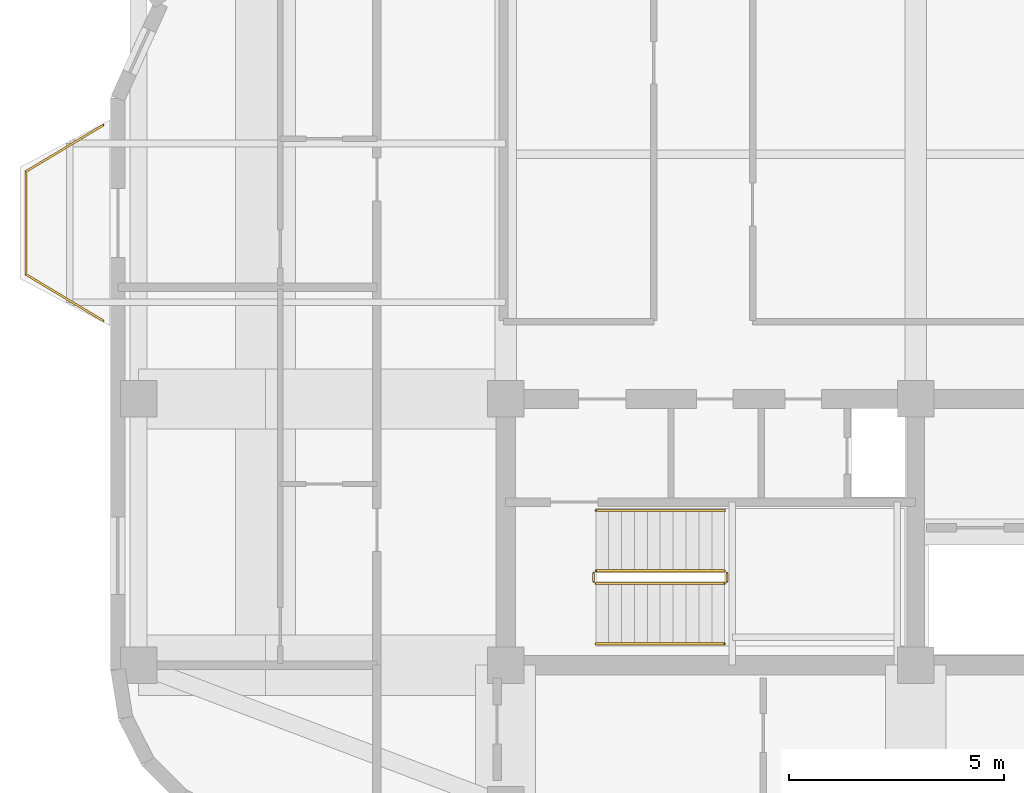
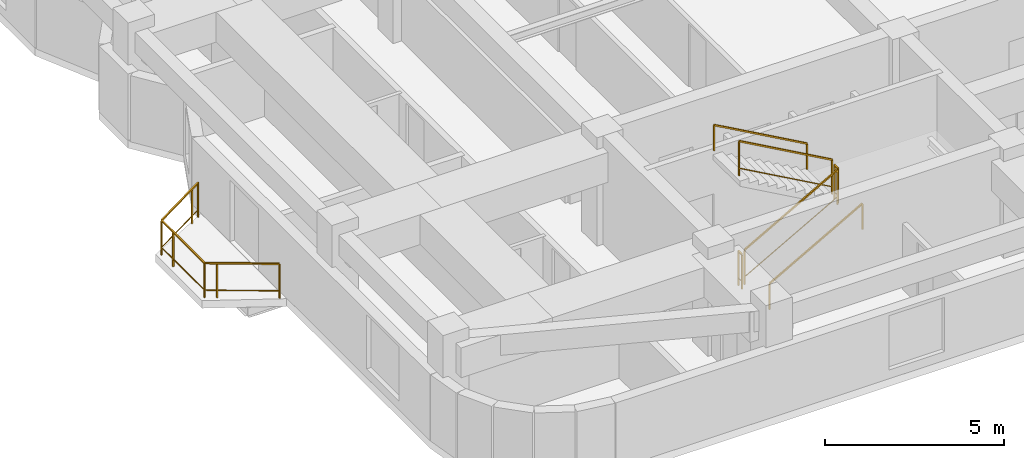
# One storey, part 8 of 9: 7 railings.
"""IFC4 building model written with IfcOpenShell, lengths in metres."""

from ifc_helpers import new_model, si_unit, direction, frame, origin, origin_2d, place, context, subcontext, project, spatial, rectangle, extrude, material, type_object, element, save


model = new_model("IFC4")

# Units and contexts
model_context = context("Model", 3, precision=1e-05, world=origin(), true_north=direction((0.0, 1.0)))
body_context = subcontext(model_context, "Body", "Model", "MODEL_VIEW")
ifc_project = project(units=[si_unit("LENGTHUNIT", "METRE"), si_unit("AREAUNIT", "SQUARE_METRE"), si_unit("VOLUMEUNIT", "CUBIC_METRE"), si_unit("PLANEANGLEUNIT", "RADIAN"), si_unit("MASSUNIT", "GRAM", prefix="KILO")], contexts=[model_context])

# Site, building, storey
site_placement = place(None, origin())
site = spatial("IfcSite", under=ifc_project, at=site_placement, CompositionType="ELEMENT")
building_placement = place(site_placement, origin())
building = spatial("IfcBuilding", under=site, at=building_placement, Name="Svetorya Sky Lyceum", CompositionType="ELEMENT")
storey_placement = place(building_placement, frame((0.0, 0.0, 222.10009765625)))
storey = spatial("IfcBuildingStorey", under=building, at=storey_placement, Name="L55", CompositionType="ELEMENT", Elevation=222.10009765625)

# Railings
ifc_material_1 = material(Name="Laminated safety glass and stainless AISI 316", Category="glass")
railing_type_1 = type_object("IfcRailingType", Name="RL-BAL-1200", PredefinedType="BALUSTRADE", material=ifc_material_1)
railing_1_placement = place(storey_placement, frame((16.22998046875, 18.6201171875, 0.0)))
element("IfcRailing", 1, at=railing_1_placement, inside=storey, type_object=railing_type_1, Name="L55 Balcony Balustrade BAL-W1", PredefinedType="BALUSTRADE", context=body_context, shape_type="SweptSolid", body=[
    extrude(rectangle(XDim=0.048095703125, YDim=0.048095703125, at=origin_2d()), frame((0.0, 0.0, 1.17578125), z_axis=(-0.85753397263, 0.514427337711, 0.0), x_axis=(-0.514427337711, -0.85753397263, 0.0)), (0.0, 0.0, 1.0), 2.09912109375),
    extrude(rectangle(XDim=0.02392578125, YDim=0.02392578125, at=origin_2d()), frame((0.0, 0.0, 0.25), z_axis=(-0.85753397263, 0.514427337711, 0.0), x_axis=(-0.514427337711, -0.85753397263, 0.0)), (0.0, 0.0, 1.0), 2.09912109375),
    extrude(rectangle(XDim=0.048095703125, YDim=0.048095703125, at=origin_2d()), frame((-1.800048828125, 1.079833984375, 1.17578125), z_axis=(0.0, 1.0, 0.0), x_axis=(-1.0, 0.0, 0.0)), (0.0, 0.0, 1.0), 2.400146484375),
    extrude(rectangle(XDim=0.02392578125, YDim=0.02392578125, at=origin_2d()), frame((-1.800048828125, 1.079833984375, 0.25), z_axis=(0.0, 1.0, 0.0), x_axis=(-1.0, 0.0, 0.0)), (0.0, 0.0, 1.0), 2.400146484375),
    extrude(rectangle(XDim=0.048095703125, YDim=0.048095703125, at=origin_2d()), frame((-1.800048828125, 3.47998046875, 1.17578125), z_axis=(0.85753397263, 0.514427337711, 0.0), x_axis=(-0.514427337711, 0.85753397263, 0.0)), (0.0, 0.0, 1.0), 2.09912109375),
    extrude(rectangle(XDim=0.02392578125, YDim=0.02392578125, at=origin_2d()), frame((-1.800048828125, 3.47998046875, 0.25), z_axis=(0.85753397263, 0.514427337711, 0.0), x_axis=(-0.514427337711, 0.85753397263, 0.0)), (0.0, 0.0, 1.0), 2.09912109375),
    extrude(rectangle(XDim=0.0419921875, YDim=0.0419921875, at=origin_2d()), origin(), (0.0, 0.0, 1.0), 1.15185546875),
    extrude(rectangle(XDim=0.0419921875, YDim=0.0419921875, at=origin_2d()), frame((-1.500732421875, 0.900146484375, 0.0)), (0.0, 0.0, 1.0), 1.15185546875),
    extrude(rectangle(XDim=0.0419921875, YDim=0.0419921875, at=origin_2d()), frame((-1.800048828125, 1.079833984375, 0.0)), (0.0, 0.0, 1.0), 1.15185546875),
    extrude(rectangle(XDim=0.0419921875, YDim=0.0419921875, at=origin_2d()), frame((-1.800048828125, 2.829833984375, 0.0)), (0.0, 0.0, 1.0), 1.15185546875),
    extrude(rectangle(XDim=0.0419921875, YDim=0.0419921875, at=origin_2d()), frame((-1.800048828125, 3.47998046875, 0.0)), (0.0, 0.0, 1.0), 1.15185546875),
    extrude(rectangle(XDim=0.0419921875, YDim=0.0419921875, at=origin_2d()), frame((-0.29931640625, 4.380126953125, 0.0)), (0.0, 0.0, 1.0), 1.15185546875),
    extrude(rectangle(XDim=0.0419921875, YDim=0.0419921875, at=origin_2d()), frame((0.0, 4.559814453125, 0.0)), (0.0, 0.0, 1.0), 1.15185546875),
])
ifc_material_2 = material(Name="Painted galvanized stair well guard")
railing_type_2 = type_object("IfcRailingType", Name="RL-STR-GUARD-1200", PredefinedType="GUARDRAIL", material=ifc_material_2)
railing_2_placement = place(storey_placement, frame((27.699951171875, 12.5, 0.16796875)))
element("IfcRailing", 2, at=railing_2_placement, inside=storey, type_object=railing_type_2, Name="L55 ST-S stair guard 1", PredefinedType="GUARDRAIL", context=body_context, shape_type="SweptSolid", body=[
    extrude(rectangle(XDim=0.048095703125, YDim=0.048095703125, at=origin_2d()), frame((0.0, 0.0, 1.17578125), z_axis=(0.872272294576, 0.0, 0.489020494575), x_axis=(0.0, 1.0, 0.0)), (0.0, 0.0, 1.0), 3.439208984375),
    extrude(rectangle(XDim=0.02392578125, YDim=0.02392578125, at=origin_2d()), frame((0.0, 0.0, 0.25), z_axis=(0.872272294576, 0.0, 0.489020494575), x_axis=(0.0, 1.0, 0.0)), (0.0, 0.0, 1.0), 3.439208984375),
    extrude(rectangle(XDim=0.0419921875, YDim=0.0419921875, at=origin_2d()), origin(), (0.0, 0.0, 1.0), 1.15185546875),
    extrude(rectangle(XDim=0.0419921875, YDim=0.0419921875, at=origin_2d()), frame((3.0, 0.0, 1.681884765625)), (0.0, 0.0, 1.0), 1.15185546875),
])
railing_3_placement = place(storey_placement, frame((30.75, 12.550048828125, 1.849853515625)))
element("IfcRailing", 3, at=railing_3_placement, inside=storey, type_object=railing_type_2, Name="L55 ST-S stair guard 2", PredefinedType="GUARDRAIL", context=body_context, shape_type="SweptSolid", body=[
    extrude(rectangle(XDim=0.048095703125, YDim=0.048095703125, at=origin_2d()), frame((0.0, 0.0, 1.17578125), z_axis=(0.0, 1.0, 0.0), x_axis=(-1.0, 0.0, 0.0)), (0.0, 0.0, 1.0), 0.199951171875),
    extrude(rectangle(XDim=0.02392578125, YDim=0.02392578125, at=origin_2d()), frame((0.0, 0.0, 0.25), z_axis=(0.0, 1.0, 0.0), x_axis=(-1.0, 0.0, 0.0)), (0.0, 0.0, 1.0), 0.199951171875),
    extrude(rectangle(XDim=0.0419921875, YDim=0.0419921875, at=origin_2d()), origin(), (0.0, 0.0, 1.0), 1.15185546875),
    extrude(rectangle(XDim=0.0419921875, YDim=0.0419921875, at=origin_2d()), frame((0.0, 0.199951171875, 0.0)), (0.0, 0.0, 1.0), 1.15185546875),
])
railing_4_placement = place(storey_placement, frame((30.699951171875, 12.800048828125, 2.01806640625)))
element("IfcRailing", 4, at=railing_4_placement, inside=storey, type_object=railing_type_2, Name="L55 ST-S stair guard 3", PredefinedType="GUARDRAIL", context=body_context, shape_type="SweptSolid", body=[
    extrude(rectangle(XDim=0.048095703125, YDim=0.048095703125, at=origin_2d()), frame((0.0, 0.0, 1.17578125), z_axis=(-0.872272294576, 0.0, 0.489020494575), x_axis=(0.0, -1.0, 0.0)), (0.0, 0.0, 1.0), 3.439208984375),
    extrude(rectangle(XDim=0.02392578125, YDim=0.02392578125, at=origin_2d()), frame((0.0, 0.0, 0.25), z_axis=(-0.872272294576, 0.0, 0.489020494575), x_axis=(0.0, -1.0, 0.0)), (0.0, 0.0, 1.0), 3.439208984375),
    extrude(rectangle(XDim=0.0419921875, YDim=0.0419921875, at=origin_2d()), origin(), (0.0, 0.0, 1.0), 1.15185546875),
    extrude(rectangle(XDim=0.0419921875, YDim=0.0419921875, at=origin_2d()), frame((-3.0, 0.0, 1.681884765625)), (0.0, 0.0, 1.0), 1.15185546875),
])
railing_5_placement = place(storey_placement, frame((27.64990234375, 12.550048828125, 0.0)))
element("IfcRailing", 5, at=railing_5_placement, inside=storey, type_object=railing_type_2, Name="L55 ST-S stair guard 4", PredefinedType="GUARDRAIL", context=body_context, shape_type="SweptSolid", body=[
    extrude(rectangle(XDim=0.048095703125, YDim=0.048095703125, at=origin_2d()), frame((0.0, 0.0, 1.17578125), z_axis=(0.0, 1.0, 0.0), x_axis=(-1.0, 0.0, 0.0)), (0.0, 0.0, 1.0), 0.199951171875),
    extrude(rectangle(XDim=0.02392578125, YDim=0.02392578125, at=origin_2d()), frame((0.0, 0.0, 0.25), z_axis=(0.0, 1.0, 0.0), x_axis=(-1.0, 0.0, 0.0)), (0.0, 0.0, 1.0), 0.199951171875),
    extrude(rectangle(XDim=0.0419921875, YDim=0.0419921875, at=origin_2d()), origin(), (0.0, 0.0, 1.0), 1.15185546875),
    extrude(rectangle(XDim=0.0419921875, YDim=0.0419921875, at=origin_2d()), frame((0.0, 0.199951171875, 0.0)), (0.0, 0.0, 1.0), 1.15185546875),
])
ifc_material_3 = material(Name="Brushed stainless AISI 304 stair handrail")
railing_type_3 = type_object("IfcRailingType", Name="RL-STR-HAND-920", PredefinedType="HANDRAIL", material=ifc_material_3)
railing_6_placement = place(storey_placement, frame((27.699951171875, 11.10009765625, 0.16796875)))
element("IfcRailing", 6, at=railing_6_placement, inside=storey, type_object=railing_type_3, Name="L55 ST-S stair handrail 1", PredefinedType="HANDRAIL", context=body_context, shape_type="SweptSolid", body=[
    extrude(rectangle(XDim=0.048095703125, YDim=0.048095703125, at=origin_2d()), frame((0.0, 0.0, 0.8759765625), z_axis=(0.872272294576, 0.0, 0.489020494575), x_axis=(0.0, 1.0, 0.0)), (0.0, 0.0, 1.0), 3.439208984375),
    extrude(rectangle(XDim=0.0419921875, YDim=0.0419921875, at=origin_2d()), origin(), (0.0, 0.0, 1.0), 0.851806640625),
    extrude(rectangle(XDim=0.0419921875, YDim=0.0419921875, at=origin_2d()), frame((3.0, 0.0, 1.681884765625)), (0.0, 0.0, 1.0), 0.851806640625),
])
railing_7_placement = place(storey_placement, frame((30.699951171875, 14.199951171875, 2.01806640625)))
element("IfcRailing", 7, at=railing_7_placement, inside=storey, type_object=railing_type_3, Name="L55 ST-S stair handrail 2", PredefinedType="HANDRAIL", context=body_context, shape_type="SweptSolid", body=[
    extrude(rectangle(XDim=0.048095703125, YDim=0.048095703125, at=origin_2d()), frame((0.0, 0.0, 0.8759765625), z_axis=(-0.872272294576, 0.0, 0.489020494575), x_axis=(0.0, -1.0, 0.0)), (0.0, 0.0, 1.0), 3.439208984375),
    extrude(rectangle(XDim=0.0419921875, YDim=0.0419921875, at=origin_2d()), origin(), (0.0, 0.0, 1.0), 0.851806640625),
    extrude(rectangle(XDim=0.0419921875, YDim=0.0419921875, at=origin_2d()), frame((-3.0, 0.0, 1.681884765625)), (0.0, 0.0, 1.0), 0.851806640625),
])

save(model, "model.ifc")
